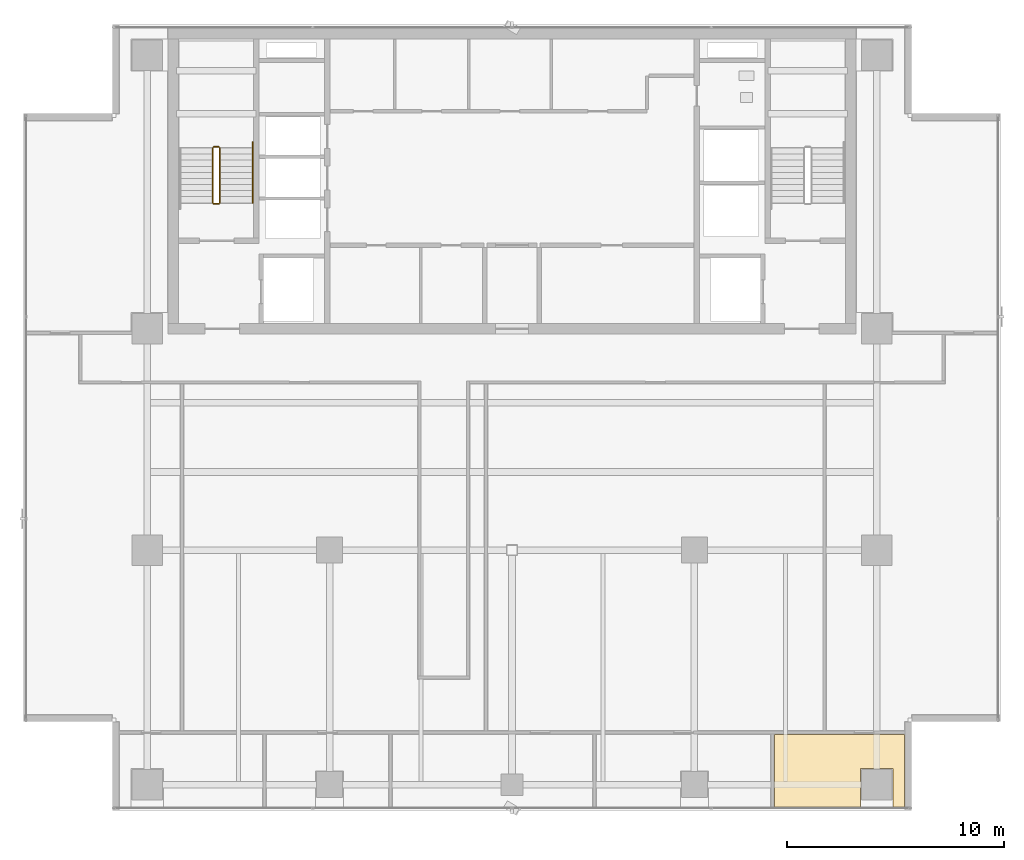
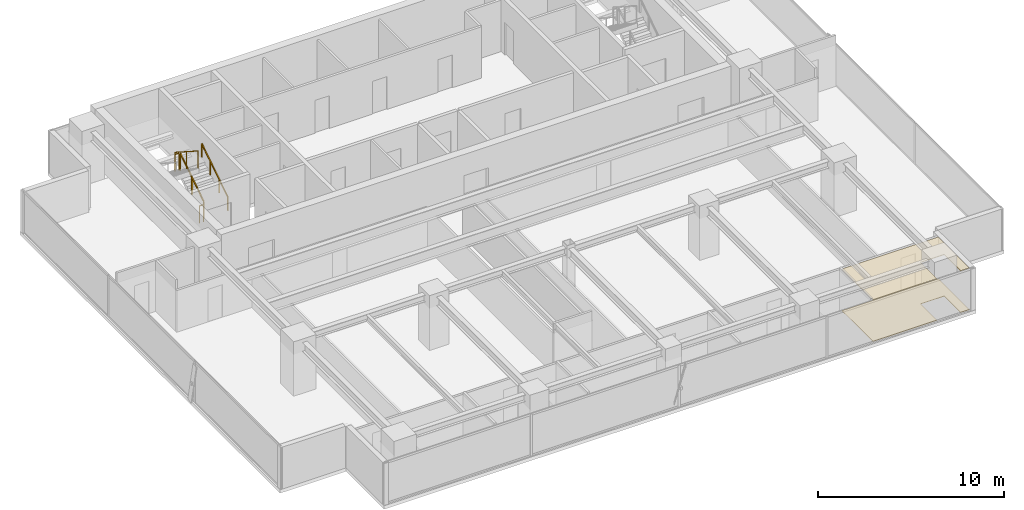
# One storey, part 23 of 25: 5 railings, 2 coverings.
"""IFC4 building model written with IfcOpenShell, lengths in metres."""

from ifc_helpers import new_model, si_unit, direction, frame, origin, origin_2d, place, context, subcontext, project, spatial, polyline, rectangle, outline, extrude, material, layer, layer_set, type_object, element, save


model = new_model("IFC4")

# Units and contexts
model_context = context("Model", 3, precision=1e-05, world=origin(), true_north=direction((0.0, 1.0)))
body_context = subcontext(model_context, "Body", "Model", "MODEL_VIEW")
ifc_project = project(units=[si_unit("LENGTHUNIT", "METRE"), si_unit("AREAUNIT", "SQUARE_METRE"), si_unit("VOLUMEUNIT", "CUBIC_METRE"), si_unit("PLANEANGLEUNIT", "RADIAN"), si_unit("MASSUNIT", "GRAM", prefix="KILO")], contexts=[model_context])

# Site, building, storey
site_placement = place(None, origin())
site = spatial("IfcSite", under=ifc_project, at=site_placement, CompositionType="ELEMENT")
building_placement = place(site_placement, origin())
building = spatial("IfcBuilding", under=site, at=building_placement, Name="Sumidabori Civic Tower", CompositionType="ELEMENT")
storey_placement = place(building_placement, frame((0.0, 0.0, 232.39990234375)))
storey = spatial("IfcBuildingStorey", under=building, at=storey_placement, Name="L60", CompositionType="ELEMENT", Elevation=232.39990234375)

# Coverings
ifc_material_1 = material(Name="Perforated Timber Acoustic Ceiling", Category="wood")
ifc_layer_1 = layer(ifc_material_1, 0.044921875, Name="Perforated Timber Acoustic Ceiling")
ifc_layer_set_1 = layer_set([ifc_layer_1], Name="Perforated Timber Acoustic Ceiling")
covering_type_1 = type_object("IfcCoveringType", Name="CV-CEIL-AC2", PredefinedType="CEILING", material=ifc_layer_set_1)
covering_1_placement = place(storey_placement, frame((0.0, 0.0, 2.72021484375)))
element("IfcCovering", 1, at=covering_1_placement, inside=storey, type_object=covering_type_1, Name="Room Acoustic Ceiling L60-09", PredefinedType="CEILING", context=body_context, shape_type="SweptSolid", body=[
    extrude(outline(polyline([(18.072021484375, -8.487548828125), (18.072021484375, -11.830078125), (17.5400390625, -11.830078125), (17.5400390625, -10.06005859375), (16.06005859375, -10.06005859375), (16.06005859375, -11.830078125), (12.08740234375, -11.830078125), (12.08740234375, -8.487548828125), (18.072021484375, -8.487548828125)])), origin(), (0.0, 0.0, 1.0), 0.044921875),
])
ifc_material_2 = material(Name="Honed Terrazzo Tile Flooring")
ifc_layer_2 = layer(ifc_material_2, 0.030029296875, Name="Honed Terrazzo Tile Flooring")
ifc_layer_set_2 = layer_set([ifc_layer_2], Name="Honed Terrazzo Tile Flooring")
covering_type_2 = type_object("IfcCoveringType", Name="CV-FLR-TER", PredefinedType="FLOORING", material=ifc_layer_set_2)
covering_2_placement = place(storey_placement, origin())
element("IfcCovering", 2, at=covering_2_placement, inside=storey, type_object=covering_type_2, Name="Room Terrazzo Floor L60-09", PredefinedType="FLOORING", context=body_context, shape_type="SweptSolid", body=[
    extrude(outline(polyline([(18.072021484375, -8.487548828125), (18.072021484375, -11.830078125), (17.5400390625, -11.830078125), (17.5400390625, -10.06005859375), (16.06005859375, -10.06005859375), (16.06005859375, -11.830078125), (12.08740234375, -11.830078125), (12.08740234375, -8.487548828125), (18.072021484375, -8.487548828125)])), origin(), (0.0, 0.0, 1.0), 0.030029296875),
])

# Railings
ifc_material_3 = material(Name="Stainless Steel Hairline Finish", Category="steel")
railing_type_1 = type_object("IfcRailingType", Name="RL-HANDRAIL", PredefinedType="HANDRAIL", material=ifc_material_3)
railing_1_placement = place(storey_placement, frame((-11.949951171875, 16.0, 0.18017578125)))
element("IfcRailing", 3, at=railing_1_placement, inside=storey, type_object=railing_type_1, Name="L60 ST-1 stair handrail 1", PredefinedType="HANDRAIL", context=body_context, shape_type="SweptSolid", body=[
    extrude(rectangle(XDim=0.048095703125, YDim=0.048095703125, at=origin_2d()), frame((0.0, 0.0, 0.8759765625), z_axis=(0.0, 0.840675598268, 0.541539046124), x_axis=(-1.0, 0.0, 0.0)), (0.0, 0.0, 1.0), 3.330810546875),
    extrude(rectangle(XDim=0.0419921875, YDim=0.0419921875, at=origin_2d()), origin(), (0.0, 0.0, 1.0), 0.851806640625),
    extrude(rectangle(XDim=0.0419921875, YDim=0.0419921875, at=origin_2d()), frame((0.0, 0.933349609375, 0.601318359375)), (0.0, 0.0, 1.0), 0.851806640625),
    extrude(rectangle(XDim=0.0419921875, YDim=0.0419921875, at=origin_2d()), frame((0.0, 1.86669921875, 1.202392578125)), (0.0, 0.0, 1.0), 0.851806640625),
    extrude(rectangle(XDim=0.0419921875, YDim=0.0419921875, at=origin_2d()), frame((0.0, 2.800048828125, 1.8037109375)), (0.0, 0.0, 1.0), 0.851806640625),
])
ifc_material_4 = material(Name="Steel SN490", Category="steel")
railing_type_2 = type_object("IfcRailingType", Name="RL-STAIR-GUARD", PredefinedType="GUARDRAIL", material=ifc_material_4)
railing_2_placement = place(storey_placement, frame((-13.449951171875, 16.0, 0.18017578125)))
element("IfcRailing", 4, at=railing_2_placement, inside=storey, type_object=railing_type_2, Name="L60 ST-1 stair guard 1", PredefinedType="GUARDRAIL", context=body_context, shape_type="SweptSolid", body=[
    extrude(rectangle(XDim=0.048095703125, YDim=0.048095703125, at=origin_2d()), frame((0.0, 0.0, 1.1259765625), z_axis=(0.0, 0.841199657755, 0.540724639528), x_axis=(-1.0, 0.0, 0.0)), (0.0, 0.0, 1.0), 2.995849609375),
    extrude(rectangle(XDim=0.0419921875, YDim=0.0419921875, at=origin_2d()), origin(), (0.0, 0.0, 1.0), 1.101806640625),
    extrude(rectangle(XDim=0.0419921875, YDim=0.0419921875, at=origin_2d()), frame((0.0, 1.260009765625, 0.81005859375)), (0.0, 0.0, 1.0), 1.101806640625),
    extrude(rectangle(XDim=0.0419921875, YDim=0.0419921875, at=origin_2d()), frame((0.0, 2.52001953125, 1.619873046875)), (0.0, 0.0, 1.0), 1.101806640625),
])
railing_3_placement = place(storey_placement, frame((-13.5, 18.570068359375, 1.800048828125)))
element("IfcRailing", 5, at=railing_3_placement, inside=storey, type_object=railing_type_2, Name="L60 ST-1 stair guard 2", PredefinedType="GUARDRAIL", context=body_context, shape_type="SweptSolid", body=[
    extrude(rectangle(XDim=0.048095703125, YDim=0.048095703125, at=origin_2d()), frame((0.0, 0.0, 1.1259765625), z_axis=(-1.0, 0.0, 0.0), x_axis=(0.0, -1.0, 0.0)), (0.0, 0.0, 1.0), 0.239990234375),
    extrude(rectangle(XDim=0.0419921875, YDim=0.0419921875, at=origin_2d()), origin(), (0.0, 0.0, 1.0), 1.101806640625),
    extrude(rectangle(XDim=0.0419921875, YDim=0.0419921875, at=origin_2d()), frame((-0.239990234375, 0.0, 0.0)), (0.0, 0.0, 1.0), 1.101806640625),
])
railing_4_placement = place(storey_placement, frame((-13.7900390625, 18.52001953125, 1.97998046875)))
element("IfcRailing", 6, at=railing_4_placement, inside=storey, type_object=railing_type_2, Name="L60 ST-1 stair guard 3", PredefinedType="GUARDRAIL", context=body_context, shape_type="SweptSolid", body=[
    extrude(rectangle(XDim=0.048095703125, YDim=0.048095703125, at=origin_2d()), frame((0.0, 0.0, 1.1259765625), z_axis=(0.0, -0.841162588446, 0.540782303519), x_axis=(1.0, 0.0, 0.0)), (0.0, 0.0, 1.0), 2.995849609375),
    extrude(rectangle(XDim=0.0419921875, YDim=0.0419921875, at=origin_2d()), origin(), (0.0, 0.0, 1.0), 1.101806640625),
    extrude(rectangle(XDim=0.0419921875, YDim=0.0419921875, at=origin_2d()), frame((0.0, -1.260009765625, 0.81005859375)), (0.0, 0.0, 1.0), 1.101806640625),
    extrude(rectangle(XDim=0.0419921875, YDim=0.0419921875, at=origin_2d()), frame((0.0, -2.52001953125, 1.6201171875)), (0.0, 0.0, 1.0), 1.101806640625),
])
railing_5_placement = place(storey_placement, frame((-13.5, 15.949951171875, 0.0)))
element("IfcRailing", 7, at=railing_5_placement, inside=storey, type_object=railing_type_2, Name="L60 ST-1 stair guard 4", PredefinedType="GUARDRAIL", context=body_context, shape_type="SweptSolid", body=[
    extrude(rectangle(XDim=0.048095703125, YDim=0.048095703125, at=origin_2d()), frame((0.0, 0.0, 1.1259765625), z_axis=(-1.0, 0.0, 0.0), x_axis=(0.0, -1.0, 0.0)), (0.0, 0.0, 1.0), 0.239990234375),
    extrude(rectangle(XDim=0.0419921875, YDim=0.0419921875, at=origin_2d()), origin(), (0.0, 0.0, 1.0), 1.101806640625),
    extrude(rectangle(XDim=0.0419921875, YDim=0.0419921875, at=origin_2d()), frame((-0.239990234375, 0.0, 0.0)), (0.0, 0.0, 1.0), 1.101806640625),
])

save(model, "model.ifc")
